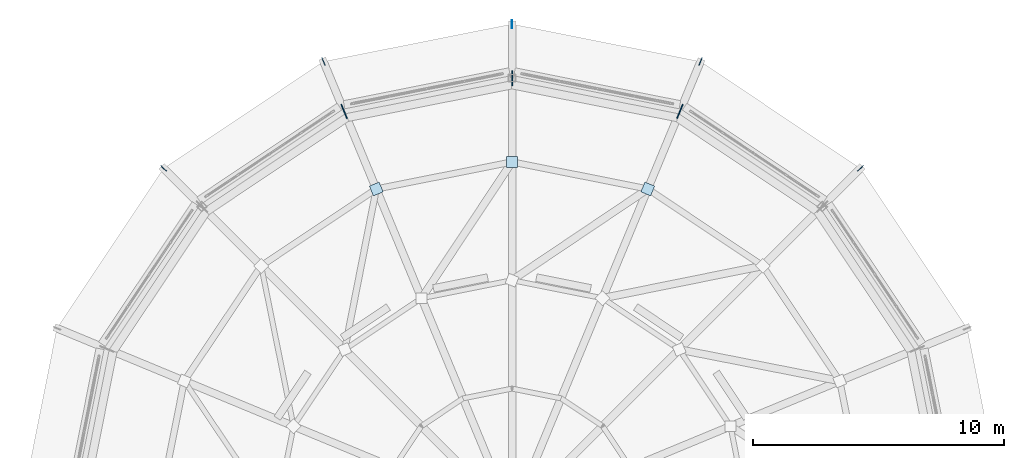
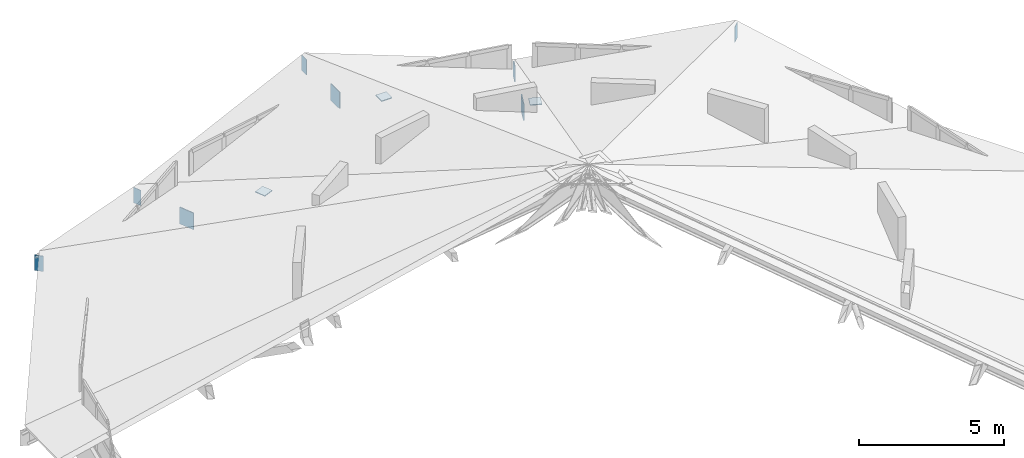
# One storey, part 17 of 18: 11 plates.
"""IFC4 building model written with IfcOpenShell, lengths in metres."""

import ifcopenshell
import ifcopenshell.guid

model = None  # the IFC model being written
_history = None  # IfcOwnerHistory: only IFC2X3 demands one
_inside = {}  # id of a spatial element -> (the spatial element, [elements in it])
_under = {}  # id of a project, library or spatial element -> (it, [spatial elements below it])
_declared = {}  # id of a project -> (the project, [libraries it declares])
_typed = {}  # id of a type object -> (the type object, [elements of that type])
_made_of = {}  # id of a material, layer set ... -> (it, [elements and type objects made of it])


def new_model(schema):
    """Start an empty IFC model of exactly this schema.

    Asked for "IFC4X3", IfcOpenShell would pick the latest addendum, in which some entities
    have other attributes; the version numbers below select the first issue.
    IFC2X3 requires an IfcOwnerHistory on every rooted entity: one is made here for all.
    """
    global model, _history
    if schema == "IFC4X3":
        model = ifcopenshell.file(schema_version=(4, 3, 0, 0))
    else:
        model = ifcopenshell.file(schema=schema)
    _inside.clear()
    _under.clear()
    _declared.clear()
    _typed.clear()
    _made_of.clear()
    _history = None
    if model.schema == "IFC2X3":
        org = make("IfcOrganization", Name="unknown")
        user = make(
            "IfcPersonAndOrganization",
            ThePerson=make("IfcPerson", FamilyName="unknown"),
            TheOrganization=org,
        )
        app = make(
            "IfcApplication",
            ApplicationDeveloper=org,
            Version="unknown",
            ApplicationFullName="unknown",
            ApplicationIdentifier="unknown",
        )
        _history = make(
            "IfcOwnerHistory",
            OwningUser=user,
            OwningApplication=app,
            ChangeAction="ADDED",
            CreationDate=0,
        )
    return model


def make(cls, **values):
    """One entity of the class cls with the attributes given. An attribute that is None is left unset."""
    return model.create_entity(
        cls, **{name: value for name, value in values.items() if value is not None}
    )


def rooted(cls, **values):
    """An entity with a GlobalId (a new one), such as an element, a storey or a relation."""
    return make(cls, GlobalId=ifcopenshell.guid.new(), OwnerHistory=_history, **values)


def si_unit(unit_type, name, prefix=None):
    """IfcSIUnit, for example si_unit("LENGTHUNIT", "METRE", prefix="MILLI")."""
    return make("IfcSIUnit", UnitType=unit_type, Prefix=prefix, Name=name)


def assignment(units):
    """IfcUnitAssignment: the units of a project."""
    return None if units is None else make("IfcUnitAssignment", Units=units)


def point(xyz):
    """IfcCartesianPoint."""
    return None if xyz is None else make("IfcCartesianPoint", Coordinates=xyz)


def direction(xyz):
    """IfcDirection."""
    return None if xyz is None else make("IfcDirection", DirectionRatios=xyz)


def frame(location, z_axis=None, x_axis=None):
    """IfcAxis2Placement3D, a coordinate frame: its origin and axes. An axis left out is left unset."""
    return make(
        "IfcAxis2Placement3D",
        Location=point(location),
        Axis=direction(z_axis),
        RefDirection=direction(x_axis),
    )


def frame_2d(location, x_axis=None):
    """IfcAxis2Placement2D, a coordinate frame in the plane: its origin and x axis."""
    return make(
        "IfcAxis2Placement2D", Location=point(location), RefDirection=direction(x_axis)
    )


def origin():
    """The frame at (0, 0, 0) with its axes left unset."""
    return frame((0.0, 0.0, 0.0))


def origin_2d():
    """The frame at (0, 0) in the plane with its x axis left unset."""
    return frame_2d((0.0, 0.0))


def place(relative_to, where):
    """IfcLocalPlacement: puts the frame where relative to a parent placement (None: the world)."""
    return make(
        "IfcLocalPlacement", PlacementRelTo=relative_to, RelativePlacement=where
    )


def context(
    kind, dimensions, precision=None, world=None, true_north=None, identifier=None
):
    """IfcGeometricRepresentationContext, for example the 3D "Model" context."""
    return make(
        "IfcGeometricRepresentationContext",
        ContextIdentifier=identifier,
        ContextType=kind,
        CoordinateSpaceDimension=dimensions,
        Precision=precision,
        WorldCoordinateSystem=world,
        TrueNorth=true_north,
    )


def subcontext(parent, identifier, kind, view, scale=None):
    """IfcGeometricRepresentationSubContext, for example "Body" below "Model"."""
    return make(
        "IfcGeometricRepresentationSubContext",
        ContextIdentifier=identifier,
        ContextType=kind,
        ParentContext=parent,
        TargetScale=scale,
        TargetView=view,
    )


def project(units=None, contexts=None):
    """IfcProject with its units and contexts."""
    return rooted(
        "IfcProject",
        Name="project",
        RepresentationContexts=contexts,
        UnitsInContext=assignment(units),
    )


def spatial(cls, under=None, at=None, **own):
    """A site, building, storey or space (cls), placed at a placement, below another one or the project."""
    s = rooted(cls, ObjectPlacement=at, **own)
    if under is not None:
        _under.setdefault(under.id(), (under, []))[1].append(s)
    return s


def profile(cls, at=None, kind="AREA", **sizes):
    """A parametric profile (cls). Its sizes go by their IFC names, for example OverallWidth=200.0."""
    return make(cls, ProfileType=kind, Position=at, **sizes)


def rectangle(**sizes):
    """IfcRectangleProfileDef."""
    return profile("IfcRectangleProfileDef", **sizes)


def extrude(swept, where, along, depth):
    """IfcExtrudedAreaSolid: the profile swept, set in the frame where, extruded along a direction by depth."""
    return make(
        "IfcExtrudedAreaSolid",
        SweptArea=swept,
        Position=where,
        ExtrudedDirection=direction(along),
        Depth=depth,
    )


def shape(context_of_items, identifier, shape_type, items):
    """IfcShapeRepresentation: the items that make up one representation, for example the "Body"."""
    return make(
        "IfcShapeRepresentation",
        ContextOfItems=context_of_items,
        RepresentationIdentifier=identifier,
        RepresentationType=shape_type,
        Items=items,
    )


def material(Name=None, Category=None):
    """IfcMaterial."""
    return make("IfcMaterial", Name=Name, Category=Category)


def layer(
    of_material, thickness, ventilated=None, Name=None, Category=None, Priority=None
):
    """IfcMaterialLayer: one layer of a wall or slab, of a material (None: an air gap)."""
    return make(
        "IfcMaterialLayer",
        Material=of_material,
        LayerThickness=thickness,
        IsVentilated=ventilated,
        Name=Name,
        Category=Category,
        Priority=Priority,
    )


def layer_set(layers, Name=None):
    """IfcMaterialLayerSet."""
    return make("IfcMaterialLayerSet", MaterialLayers=layers, LayerSetName=Name)


def made_of(thing, what):
    """Note that an element or type object is made of a material, layer set ...; save() writes the relation."""
    if what is not None:
        _made_of.setdefault(what.id(), (what, []))[1].append(thing)
    return thing


def type_object(cls, material=None, **own):
    """A type object (cls), such as IfcWallType, which elements share."""
    return made_of(rooted(cls, **own), material)


def element(
    cls,
    number,
    at=None,
    inside=None,
    cuts=None,
    type_object=None,
    material=None,
    context=None,
    identifier="Body",
    shape_type=None,
    held_by="IfcProductDefinitionShape",
    body=None,
    shapes=None,
    **own,
):
    """One element of the class cls, such as IfcWall. Its Tag is "e" and its number.

    at: its placement. inside: the storey or other place that contains it. cuts: it is an
    opening in that element (IfcRelVoidsElement). A single representation is given by context,
    identifier, shape_type and body (its items); several are given by shapes. held_by: the class
    of the entity that holds the representations. save() writes the other relations.
    """
    e = rooted(cls, Tag="e%d" % number, ObjectPlacement=at, **own)
    if body is not None:
        shapes = [shape(context, identifier, shape_type, body)]
    if shapes is not None:
        e.Representation = make(held_by, Representations=shapes)
    if inside is not None:
        _inside.setdefault(inside.id(), (inside, []))[1].append(e)
    if cuts is not None:
        rooted(
            "IfcRelVoidsElement", RelatingBuildingElement=cuts, RelatedOpeningElement=e
        )
    if type_object is not None:
        _typed.setdefault(type_object.id(), (type_object, []))[1].append(e)
    return made_of(e, material)


def aggregate(whole, parts):
    """IfcRelAggregates: a whole, such as a stair, and the parts it consists of."""
    return rooted("IfcRelAggregates", RelatingObject=whole, RelatedObjects=parts)


def save(model, path):
    """Write the relations noted so far, then the file.

    IfcRelAggregates (storeys below a building ...), IfcRelContainedInSpatialStructure (elements
    in a storey), IfcRelDefinesByType, IfcRelAssociatesMaterial and IfcRelDeclares: one each for
    every whole, place, type object, material and project.
    """
    for whole, parts in _under.values():
        aggregate(whole, parts)
    for where, things in _inside.values():
        rooted(
            "IfcRelContainedInSpatialStructure",
            RelatedElements=things,
            RelatingStructure=where,
        )
    for kind, things in _typed.values():
        rooted("IfcRelDefinesByType", RelatedObjects=things, RelatingType=kind)
    for what, things in _made_of.values():
        rooted("IfcRelAssociatesMaterial", RelatedObjects=things, RelatingMaterial=what)
    for by, libraries in _declared.values():
        rooted("IfcRelDeclares", RelatingContext=by, RelatedDefinitions=libraries)
    model.write(path)


model = new_model("IFC4")

# Units and contexts
model_context = context("Model", 3, precision=1e-05, world=origin(), true_north=direction((0.0, 1.0)))
body_context = subcontext(model_context, "Body", "Model", "MODEL_VIEW")
ifc_project = project(units=[si_unit("LENGTHUNIT", "METRE"), si_unit("AREAUNIT", "SQUARE_METRE"), si_unit("VOLUMEUNIT", "CUBIC_METRE"), si_unit("PLANEANGLEUNIT", "RADIAN"), si_unit("MASSUNIT", "GRAM", prefix="KILO")], contexts=[model_context])

# Site, building, storey
site_placement = place(None, origin())
site = spatial("IfcSite", under=ifc_project, at=site_placement, CompositionType="ELEMENT")
building_placement = place(site_placement, origin())
building = spatial("IfcBuilding", under=site, at=building_placement, Name="Soyqirgoq Riverine Aquarium", CompositionType="ELEMENT")
storey_placement = place(building_placement, frame((0.0, 0.0, 29.39990234375)))
storey = spatial("IfcBuildingStorey", under=building, at=storey_placement, Name="RF", CompositionType="ELEMENT", Elevation=29.39990234375)

# Plates
ifc_material_1 = material(Name="Structural steel S355", Category="steel")
ifc_layer_1 = layer(ifc_material_1, 0.031982421875)
ifc_layer_set_1 = layer_set([ifc_layer_1], Name="Structural steel S355")
plate_type_1 = type_object("IfcPlateType", Name="NodeGussetPlate_32_S355", PredefinedType="SHEET", material=ifc_layer_set_1)
for number, where, z_axis, x_axis, name in (
    (1, (61.400390625, 70.037841796875, 2.02001953125), (0.0, 0.0, 1.0), (0.382683432365, 0.923879532511, 0.0), "V1 Radial Truss Brace End Gusset Plate 091"),
    (2, (56.0, 71.112060546875, 3.4599609375), (0.0, 0.0, 1.0), (0.0, 1.0, 0.0), "V1 Radial Truss Brace End Gusset Plate 093"),
    (3, (50.599609375, 70.037841796875, 2.02001953125), (0.0, 0.0, 1.0), (-0.382683432365, 0.923879532511, 0.0), "V1 Radial Truss Brace End Gusset Plate 095"),
):
    element("IfcPlate", number, at=place(storey_placement, frame(where, z_axis=z_axis, x_axis=x_axis)), inside=storey, type_object=plate_type_1, Name=name, PredefinedType="SHEET", context=body_context, shape_type="SweptSolid", body=[
        extrude(rectangle(XDim=0.419921875, YDim=0.419921875, at=origin_2d()), origin(), (0.0, 0.0, 1.0), 0.031982421875),
    ])
ifc_material_2 = material(Name="Structural steel S355", Category="steel")
ifc_layer_2 = layer(ifc_material_2, 0.0400390625)
ifc_layer_set_2 = layer_set([ifc_layer_2], Name="Structural steel S355")
plate_type_2 = type_object("IfcPlateType", Name="NodeGussetPlate_40_S355", PredefinedType="SHEET", material=ifc_layer_set_2)
for number, where, z_axis, x_axis, name in (
    (4, (62.677734375, 73.12158203125, -0.8701171875), (0.0, 0.0, 1.0), (0.382683432365, 0.923879532511, 0.0), "V1 Folded-Plate Ring Node Gusset 060"),
    (5, (56.0, 74.449951171875, 1.1298828125), (0.0, 0.0, 1.0), (0.0, 1.0, 0.0), "V1 Folded-Plate Ring Node Gusset 062"),
    (6, (49.322265625, 73.12158203125, -0.8701171875), (0.0, 0.0, 1.0), (-0.382683432365, 0.923879532511, 0.0), "V1 Folded-Plate Ring Node Gusset 064"),
):
    element("IfcPlate", number, at=place(storey_placement, frame(where, z_axis=z_axis, x_axis=x_axis)), inside=storey, type_object=plate_type_2, Name=name, PredefinedType="SHEET", context=body_context, shape_type="SweptSolid", body=[
        extrude(rectangle(XDim=0.60009765625, YDim=0.0400390625, at=origin_2d()), origin(), (0.0, 0.0, 1.0), 0.699951171875),
    ])
ifc_material_3 = material(Name="Structural steel S355", Category="steel")
ifc_layer_3 = layer(ifc_material_3, 0.02001953125)
ifc_layer_set_3 = layer_set([ifc_layer_3], Name="Structural steel S355")
plate_type_3 = type_object("IfcPlateType", Name="TubeCapPlate_20_S355", PredefinedType="USERDEFINED", material=ifc_layer_set_3)
for number, where, z_axis, x_axis, name in (
    (7, (69.859375, 70.859375, 1.155029296875), (0.0, 0.0, 1.0), (0.707106781187, 0.707106781187, 0.0), "V1 Folded-Plate Eave Rib Cap Plate 057"),
    (8, (48.49951171875, 75.10791015625, -0.844970703125), (0.0, 0.0, 1.0), (-0.382683432365, 0.923879532511, 0.0), "V1 Folded-Plate Eave Rib Cap Plate 063"),
):
    element("IfcPlate", number, at=place(storey_placement, frame(where, z_axis=z_axis, x_axis=x_axis)), inside=storey, type_object=plate_type_3, Name=name, ObjectType="FLANGE_PLATE", PredefinedType="USERDEFINED", context=body_context, shape_type="SweptSolid", body=[
        extrude(rectangle(XDim=0.320068359375, YDim=0.02001953125, at=origin_2d()), origin(), (0.0, 0.0, 1.0), 0.64990234375),
    ])
ifc_material_4 = material(Name="Structural steel S355", Category="steel")
ifc_layer_4 = layer(ifc_material_4, 0.02197265625)
ifc_layer_set_4 = layer_set([ifc_layer_4], Name="Structural steel S355")
plate_type_4 = type_object("IfcPlateType", Name="TubeCapPlate_22_S355", PredefinedType="USERDEFINED", material=ifc_layer_set_4)
plate_placement = place(storey_placement, frame((56.0, 76.60009765625, 1.155029296875), z_axis=(0.0, 0.0, 1.0), x_axis=(0.0, 1.0, 0.0)))
element("IfcPlate", 9, at=plate_placement, inside=storey, type_object=plate_type_4, Name="V1 Folded-Plate Eave Rib Cap Plate 061", ObjectType="FLANGE_PLATE", PredefinedType="USERDEFINED", context=body_context, shape_type="SweptSolid", body=[
    extrude(rectangle(XDim=0.320068359375, YDim=0.02197265625, at=origin_2d()), origin(), (0.0, 0.0, 1.0), 0.64990234375),
])
ifc_material_5 = material(Name="Structural steel S355", Category="steel")
ifc_layer_5 = layer(ifc_material_5, 0.02490234375)
ifc_layer_set_5 = layer_set([ifc_layer_5], Name="Structural steel S355")
plate_type_5 = type_object("IfcPlateType", Name="TubeCapPlate_25_S355", PredefinedType="USERDEFINED", material=ifc_layer_set_5)
for number, where, z_axis, x_axis, name in (
    (10, (63.50048828125, 75.10791015625, -0.844970703125), (0.0, 0.0, 1.0), (0.382683432365, 0.923879532511, 0.0), "V1 Folded-Plate Eave Rib Cap Plate 059"),
    (11, (42.140625, 70.859375, 1.155029296875), (0.0, 0.0, 1.0), (-0.707106781187, 0.707106781187, 0.0), "V1 Folded-Plate Eave Rib Cap Plate 065"),
):
    element("IfcPlate", number, at=place(storey_placement, frame(where, z_axis=z_axis, x_axis=x_axis)), inside=storey, type_object=plate_type_5, Name=name, ObjectType="FLANGE_PLATE", PredefinedType="USERDEFINED", context=body_context, shape_type="SweptSolid", body=[
        extrude(rectangle(XDim=0.320068359375, YDim=0.02490234375, at=origin_2d()), origin(), (0.0, 0.0, 1.0), 0.64990234375),
    ])

save(model, "model.ifc")
